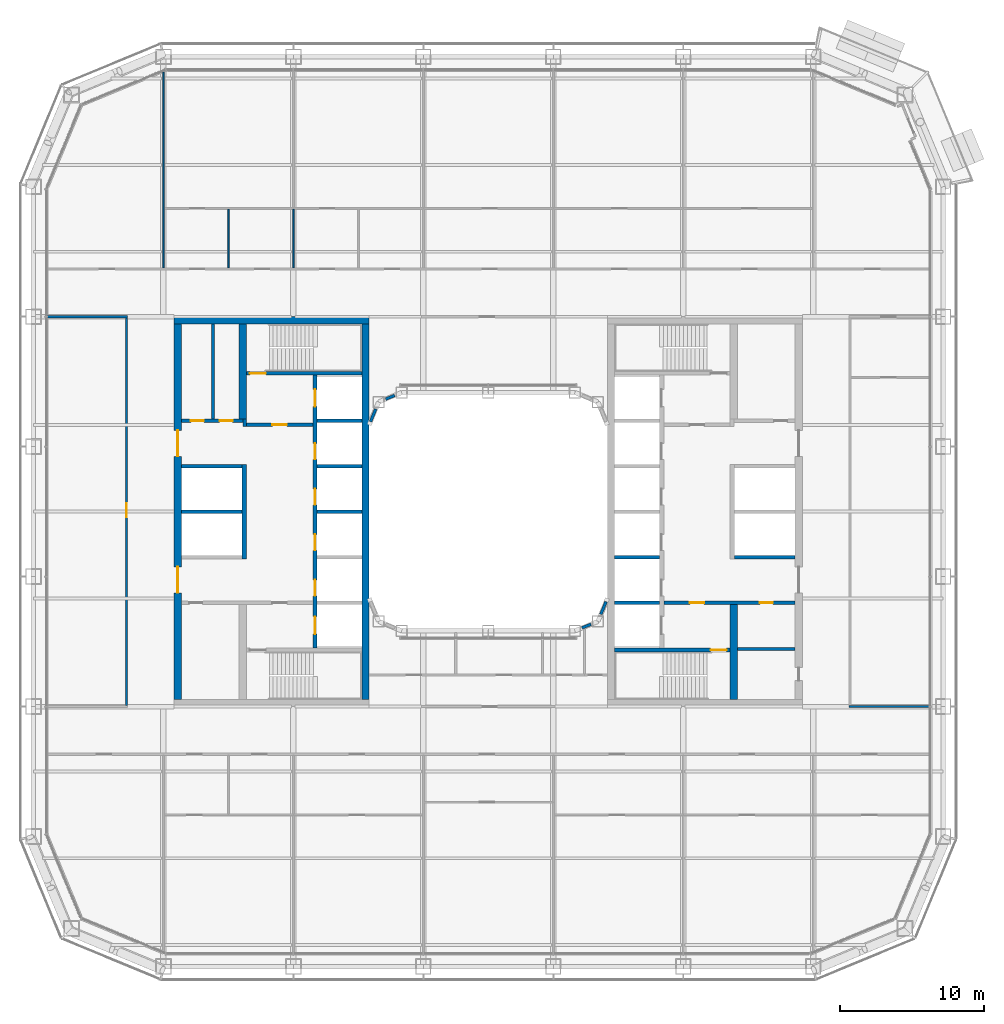
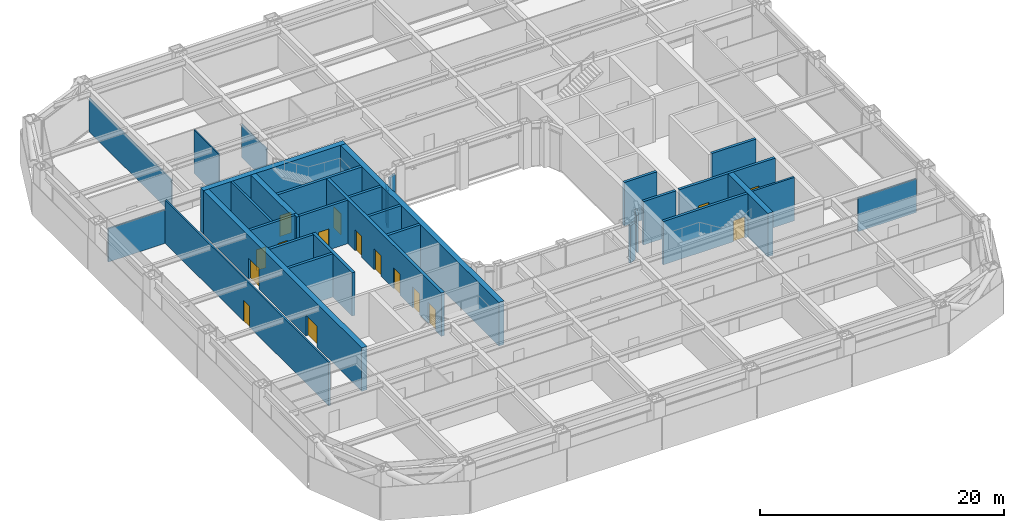
# One storey, part 14 of 30: 33 walls, 16 doors, 16 openings.
"""IFC4 building model written with IfcOpenShell, lengths in metres."""

from ifc_helpers import new_model, si_unit, direction, frame, frame_2d, origin, place, context, subcontext, project, spatial, rectangle, extrude, material, layer, layer_set, type_object, element, fill, save


model = new_model("IFC4")

# Units and contexts
model_context = context("Model", 3, precision=1e-05, world=origin(), true_north=direction((0.0, 1.0)))
body_context = subcontext(model_context, "Body", "Model", "MODEL_VIEW")
ifc_project = project(units=[si_unit("LENGTHUNIT", "METRE"), si_unit("AREAUNIT", "SQUARE_METRE"), si_unit("VOLUMEUNIT", "CUBIC_METRE"), si_unit("PLANEANGLEUNIT", "RADIAN"), si_unit("MASSUNIT", "GRAM", prefix="KILO")], contexts=[model_context])

# Site, building, storey
site_placement = place(None, origin())
site = spatial("IfcSite", under=ifc_project, at=site_placement, CompositionType="ELEMENT")
building_placement = place(site_placement, origin())
building = spatial("IfcBuilding", under=site, at=building_placement, Name="Siwar Civic Tower", CompositionType="ELEMENT")
storey_placement = place(building_placement, frame((0.0, 0.0, 44.699951171875)))
storey = spatial("IfcBuildingStorey", under=building, at=storey_placement, Name="L09", CompositionType="ELEMENT", Elevation=44.699951171875)

# Walls
ifc_material_1 = material(Name="Gypsum board on steel studs", Category="steel")
ifc_layer_1 = layer(ifc_material_1, 0.199951171875)
ifc_layer_set_1 = layer_set([ifc_layer_1], Name="Gypsum board on steel studs")
wall_type_1 = type_object("IfcWallType", Name="CORE-PARTITION-200", PredefinedType="PARTITIONING", material=ifc_layer_set_1)
wall_1_placement = place(storey_placement, frame((-19.050048828125, 6.425048828125, 0.0), z_axis=(0.0, 0.0, 1.0), x_axis=(0.0, 1.0, 0.0)))
element("IfcWall", 1, at=wall_1_placement, inside=storey, type_object=wall_type_1, Name="Core partition W", PredefinedType="PARTITIONING", context=body_context, shape_type="SweptSolid", body=[
    extrude(rectangle(XDim=6.574951171875, YDim=0.199951171875, at=frame_2d((3.28759765625, 0.0))), origin(), (0.0, 0.0, 1.0), 4.35009765625),
])
wall_2_placement = place(storey_placement, frame((17.25, -9.5, 0.0), z_axis=(0.0, 0.0, 1.0), x_axis=(1.0, 0.0, 0.0)))
element("IfcWall", 2, at=wall_2_placement, inside=storey, type_object=wall_type_1, Name="Core partition E", PredefinedType="PARTITIONING", context=body_context, shape_type="SweptSolid", body=[
    extrude(rectangle(XDim=4.0, YDim=0.199951171875, at=frame_2d((2.0, 0.0))), origin(), (0.0, 0.0, 1.0), 4.35009765625),
])

# Wall, opening, door
ifc_material_2 = material(Name="Concrete C60/75", Category="concrete")
ifc_layer_2 = layer(ifc_material_2, 0.25)
ifc_layer_set_2 = layer_set([ifc_layer_2], Name="Concrete C60/75")
wall_type_2 = type_object("IfcWallType", Name="CORE-WALL-RC250", PredefinedType="SHEAR", material=ifc_layer_set_2)
wall_3_placement = place(storey_placement, frame((-12.14990234375, 6.02490234375, 0.0), z_axis=(0.0, 0.0, 1.0), x_axis=(-1.0, 0.0, 0.0)))
wall_3 = element("IfcWall", 3, at=wall_3_placement, inside=storey, type_object=wall_type_2, Name="Core wall W", PredefinedType="SHEAR", context=body_context, shape_type="SweptSolid", body=[
    extrude(rectangle(XDim=4.60009765625, YDim=0.25, at=frame_2d((2.300048828125, 0.0))), origin(), (0.0, 0.0, 1.0), 4.35009765625),
])
opening_1_placement = place(wall_3_placement, frame((1.800048828125, 0.0, 0.0)))
opening_1 = element("IfcOpeningElement", 4, at=opening_1_placement, cuts=wall_3, Name="Opening L09-CW01", PredefinedType="OPENING", context=body_context, shape_type="SweptSolid", body=[
    extrude(rectangle(XDim=1.0, YDim=2.10009765625, at=frame_2d((0.5, 1.050048828125))), frame((0.0, 0.135009765625, 0.0), z_axis=(0.0, -1.0, 0.0), x_axis=(1.0, 0.0, 0.0)), (0.0, 0.0, 1.0), 0.27001953125),
])
ifc_material_3 = material(Name="Steel door leaf", Category="steel")
door_type_1 = type_object("IfcDoorType", Name="CORE-DOOR-FD30S", OperationType="SINGLE_SWING_LEFT", PredefinedType="DOOR", material=ifc_material_3)
door_1_placement = place(opening_1_placement, origin())
door_1 = element("IfcDoor", 5, at=door_1_placement, inside=storey, type_object=door_type_1, Name="Firefighting lobby door L09-CW01", OperationType="SINGLE_SWING_LEFT", OverallHeight=2.10009765625, OverallWidth=1.0, PredefinedType="DOOR", context=body_context, shape_type="SweptSolid", body=[
    extrude(rectangle(XDim=1.0, YDim=2.10009765625, at=frame_2d((0.5, 1.050048828125))), frame((0.0, 0.02490234375, 0.0), z_axis=(0.0, -1.0, 0.0), x_axis=(1.0, 0.0, 0.0)), (0.0, 0.0, 1.0), 0.050048828125),
])
fill(opening_1, door_1)

# Wall
wall_4_placement = place(storey_placement, frame((-16.875, 5.89990234375, 0.0), z_axis=(0.0, 0.0, 1.0), x_axis=(0.0, 1.0, 0.0)))
element("IfcWall", 6, at=wall_4_placement, inside=storey, type_object=wall_type_2, Name="Core wall W", PredefinedType="SHEAR", context=body_context, shape_type="SweptSolid", body=[
    extrude(rectangle(XDim=0.525146484375, YDim=0.25, at=frame_2d((0.2626953125, 0.0))), origin(), (0.0, 0.0, 1.0), 4.35009765625),
])

# Wall, openings, doors
wall_5_placement = place(storey_placement, frame((-17.0, 6.300048828125, 0.0), z_axis=(0.0, 0.0, 1.0), x_axis=(-1.0, 0.0, 0.0)))
wall_5 = element("IfcWall", 7, at=wall_5_placement, inside=storey, type_object=wall_type_2, Name="Core wall W", PredefinedType="SHEAR", context=body_context, shape_type="SweptSolid", body=[
    extrude(rectangle(XDim=4.25, YDim=0.25, at=frame_2d((2.125, 0.0))), origin(), (0.0, 0.0, 1.0), 4.35009765625),
])
opening_2_placement = place(wall_5_placement, frame((0.699951171875, 0.0, 0.0)))
opening_2 = element("IfcOpeningElement", 8, at=opening_2_placement, cuts=wall_5, Name="Opening L09-CW13", PredefinedType="OPENING", context=body_context, shape_type="SweptSolid", body=[
    extrude(rectangle(XDim=0.89990234375, YDim=2.10009765625, at=frame_2d((0.449951171875, 1.050048828125))), frame((0.0, 0.135009765625, 0.0), z_axis=(0.0, -1.0, 0.0), x_axis=(1.0, 0.0, 0.0)), (0.0, 0.0, 1.0), 0.27001953125),
])
opening_3_placement = place(wall_5_placement, frame((2.699951171875, 0.0, 0.0)))
opening_3 = element("IfcOpeningElement", 9, at=opening_3_placement, cuts=wall_5, Name="Opening L09-CW14", PredefinedType="OPENING", context=body_context, shape_type="SweptSolid", body=[
    extrude(rectangle(XDim=0.89990234375, YDim=2.10009765625, at=frame_2d((0.449951171875, 1.050048828125))), frame((0.0, 0.135009765625, 0.0), z_axis=(0.0, -1.0, 0.0), x_axis=(1.0, 0.0, 0.0)), (0.0, 0.0, 1.0), 0.27001953125),
])
ifc_material_4 = material(Name="Steel door leaf", Category="steel")
door_type_2 = type_object("IfcDoorType", Name="CORE-DOOR-ROOM", OperationType="SINGLE_SWING_LEFT", PredefinedType="DOOR", material=ifc_material_4)
door_2_placement = place(opening_2_placement, origin())
door_2 = element("IfcDoor", 10, at=door_2_placement, inside=storey, type_object=door_type_2, Name="Core room door L09-CW13", OperationType="SINGLE_SWING_RIGHT", OverallHeight=2.10009765625, OverallWidth=0.89990234375, PredefinedType="DOOR", context=body_context, shape_type="SweptSolid", body=[
    extrude(rectangle(XDim=0.89990234375, YDim=2.10009765625, at=frame_2d((0.449951171875, 1.050048828125))), frame((0.0, 0.02490234375, 0.0), z_axis=(0.0, -1.0, 0.0), x_axis=(1.0, 0.0, 0.0)), (0.0, 0.0, 1.0), 0.050048828125),
])
fill(opening_2, door_2)
door_3_placement = place(opening_3_placement, origin())
door_3 = element("IfcDoor", 11, at=door_3_placement, inside=storey, type_object=door_type_2, Name="Core room door L09-CW14", OperationType="SINGLE_SWING_LEFT", OverallHeight=2.10009765625, OverallWidth=0.89990234375, PredefinedType="DOOR", context=body_context, shape_type="SweptSolid", body=[
    extrude(rectangle(XDim=0.89990234375, YDim=2.10009765625, at=frame_2d((0.449951171875, 1.050048828125))), frame((0.0, 0.02490234375, 0.0), z_axis=(0.0, -1.0, 0.0), x_axis=(1.0, 0.0, 0.0)), (0.0, 0.0, 1.0), 0.050048828125),
])
fill(opening_3, door_3)

# Walls
for number, where, z_axis, x_axis, name in (
    (12, (-17.050048828125, 0.0, 0.0), (0.0, 0.0, 1.0), (-1.0, 0.0, 0.0), "Core wall W"),
    (13, (-17.050048828125, 3.14990234375, 0.0), (0.0, 0.0, 1.0), (-1.0, 0.0, 0.0), "Core wall W"),
):
    element("IfcWall", number, at=place(storey_placement, frame(where, z_axis=z_axis, x_axis=x_axis)), inside=storey, type_object=wall_type_2, Name=name, PredefinedType="SHEAR", context=body_context, shape_type="SweptSolid", body=[
        extrude(rectangle(XDim=4.199951171875, YDim=0.25, at=frame_2d((2.10009765625, 0.0))), origin(), (0.0, 0.0, 1.0), 4.35009765625),
    ])
for number, where, z_axis, x_axis, name in (
    (14, (-8.75, 0.0, 0.0), (0.0, 0.0, 1.0), (-1.0, 0.0, 0.0), "Core wall W"),
    (15, (-8.75, 3.14990234375, 0.0), (0.0, 0.0, 1.0), (-1.0, 0.0, 0.0), "Core wall W"),
    (16, (-8.75, 6.300048828125, 0.0), (0.0, 0.0, 1.0), (-1.0, 0.0, 0.0), "Core wall W"),
):
    element("IfcWall", number, at=place(storey_placement, frame(where, z_axis=z_axis, x_axis=x_axis)), inside=storey, type_object=wall_type_2, Name=name, PredefinedType="SHEAR", context=body_context, shape_type="SweptSolid", body=[
        extrude(rectangle(XDim=3.10009765625, YDim=0.25, at=frame_2d((1.550048828125, 0.0))), origin(), (0.0, 0.0, 1.0), 4.35009765625),
    ])

# Wall, opening, door
wall_6_placement = place(storey_placement, frame((-8.75, 9.574951171875, 0.0), z_axis=(0.0, 0.0, 1.0), x_axis=(-1.0, 0.0, 0.0)))
wall_6 = element("IfcWall", 17, at=wall_6_placement, inside=storey, type_object=wall_type_2, Name="Core wall W", PredefinedType="SHEAR", context=body_context, shape_type="SweptSolid", body=[
    extrude(rectangle(XDim=8.0, YDim=0.25, at=frame_2d((4.0, 0.0))), origin(), (0.0, 0.0, 1.0), 4.35009765625),
])
opening_4_placement = place(wall_6_placement, frame((6.64990234375, 0.0, 0.0)))
opening_4 = element("IfcOpeningElement", 18, at=opening_4_placement, cuts=wall_6, Name="Opening L09-CW03", PredefinedType="OPENING", context=body_context, shape_type="SweptSolid", body=[
    extrude(rectangle(XDim=1.10009765625, YDim=2.10009765625, at=frame_2d((0.550048828125, 1.050048828125))), frame((0.0, 0.135009765625, 0.0), z_axis=(0.0, -1.0, 0.0), x_axis=(1.0, 0.0, 0.0)), (0.0, 0.0, 1.0), 0.27001953125),
])
ifc_material_5 = material(Name="Steel door leaf", Category="steel")
door_type_3 = type_object("IfcDoorType", Name="CORE-DOOR-FD60S", OperationType="SINGLE_SWING_LEFT", PredefinedType="DOOR", material=ifc_material_5)
door_4_placement = place(opening_4_placement, origin())
door_4 = element("IfcDoor", 19, at=door_4_placement, inside=storey, type_object=door_type_3, Name="Stair door L09-CW03", OperationType="SINGLE_SWING_RIGHT", OverallHeight=2.10009765625, OverallWidth=1.10009765625, PredefinedType="DOOR", context=body_context, shape_type="SweptSolid", body=[
    extrude(rectangle(XDim=1.10009765625, YDim=2.10009765625, at=frame_2d((0.550048828125, 1.050048828125))), frame((0.0, 0.02490234375, 0.0), z_axis=(0.0, -1.0, 0.0), x_axis=(1.0, 0.0, 0.0)), (0.0, 0.0, 1.0), 0.050048828125),
])
fill(opening_4, door_4)

# Wall, openings, doors
wall_7_placement = place(storey_placement, frame((12.14990234375, -6.300048828125, 0.0), z_axis=(0.0, 0.0, 1.0), x_axis=(1.0, 0.0, 0.0)))
wall_7 = element("IfcWall", 20, at=wall_7_placement, inside=storey, type_object=wall_type_2, Name="Core wall E", PredefinedType="SHEAR", context=body_context, shape_type="SweptSolid", body=[
    extrude(rectangle(XDim=9.10009765625, YDim=0.25, at=frame_2d((4.550048828125, 0.0))), origin(), (0.0, 0.0, 1.0), 4.35009765625),
])
opening_5_placement = place(wall_7_placement, frame((1.800048828125, 0.0, 0.0)))
opening_5 = element("IfcOpeningElement", 21, at=opening_5_placement, cuts=wall_7, Name="Opening L09-CE02", PredefinedType="OPENING", context=body_context, shape_type="SweptSolid", body=[
    extrude(rectangle(XDim=1.0, YDim=2.10009765625, at=frame_2d((0.5, 1.050048828125))), frame((0.0, 0.135009765625, 0.0), z_axis=(0.0, -1.0, 0.0), x_axis=(1.0, 0.0, 0.0)), (0.0, 0.0, 1.0), 0.27001953125),
])
opening_6_placement = place(wall_7_placement, frame((6.64990234375, 0.0, 0.0)))
opening_6 = element("IfcOpeningElement", 22, at=opening_6_placement, cuts=wall_7, Name="Opening L09-CE14", PredefinedType="OPENING", context=body_context, shape_type="SweptSolid", body=[
    extrude(rectangle(XDim=0.89990234375, YDim=2.10009765625, at=frame_2d((0.449951171875, 1.050048828125))), frame((0.0, 0.135009765625, 0.0), z_axis=(0.0, -1.0, 0.0), x_axis=(1.0, 0.0, 0.0)), (0.0, 0.0, 1.0), 0.27001953125),
])
door_5_placement = place(opening_5_placement, origin())
door_5 = element("IfcDoor", 23, at=door_5_placement, inside=storey, type_object=door_type_1, Name="Service lobby door L09-CE02", OperationType="SINGLE_SWING_LEFT", OverallHeight=2.10009765625, OverallWidth=1.0, PredefinedType="DOOR", context=body_context, shape_type="SweptSolid", body=[
    extrude(rectangle(XDim=1.0, YDim=2.10009765625, at=frame_2d((0.5, 1.050048828125))), frame((0.0, 0.02490234375, 0.0), z_axis=(0.0, -1.0, 0.0), x_axis=(1.0, 0.0, 0.0)), (0.0, 0.0, 1.0), 0.050048828125),
])
fill(opening_5, door_5)
door_6_placement = place(opening_6_placement, origin())
door_6 = element("IfcDoor", 24, at=door_6_placement, inside=storey, type_object=door_type_2, Name="Core room door L09-CE14", OperationType="SINGLE_SWING_LEFT", OverallHeight=2.10009765625, OverallWidth=0.89990234375, PredefinedType="DOOR", context=body_context, shape_type="SweptSolid", body=[
    extrude(rectangle(XDim=0.89990234375, YDim=2.10009765625, at=frame_2d((0.449951171875, 1.050048828125))), frame((0.0, 0.02490234375, 0.0), z_axis=(0.0, -1.0, 0.0), x_axis=(1.0, 0.0, 0.0)), (0.0, 0.0, 1.0), 0.050048828125),
])
fill(opening_6, door_6)

# Walls
wall_8_placement = place(storey_placement, frame((17.050048828125, -3.14990234375, 0.0), z_axis=(0.0, 0.0, 1.0), x_axis=(1.0, 0.0, 0.0)))
element("IfcWall", 25, at=wall_8_placement, inside=storey, type_object=wall_type_2, Name="Core wall E", PredefinedType="SHEAR", context=body_context, shape_type="SweptSolid", body=[
    extrude(rectangle(XDim=4.199951171875, YDim=0.25, at=frame_2d((2.10009765625, 0.0))), origin(), (0.0, 0.0, 1.0), 4.35009765625),
])
for number, where, z_axis, x_axis, name in (
    (26, (8.75, -3.14990234375, 0.0), (0.0, 0.0, 1.0), (1.0, 0.0, 0.0), "Core wall E"),
    (27, (8.75, -6.300048828125, 0.0), (0.0, 0.0, 1.0), (1.0, 0.0, 0.0), "Core wall E"),
):
    element("IfcWall", number, at=place(storey_placement, frame(where, z_axis=z_axis, x_axis=x_axis)), inside=storey, type_object=wall_type_2, Name=name, PredefinedType="SHEAR", context=body_context, shape_type="SweptSolid", body=[
        extrude(rectangle(XDim=3.10009765625, YDim=0.25, at=frame_2d((1.550048828125, 0.0))), origin(), (0.0, 0.0, 1.0), 4.35009765625),
    ])

# Wall, opening, door
wall_9_placement = place(storey_placement, frame((8.75, -9.574951171875, 0.0), z_axis=(0.0, 0.0, 1.0), x_axis=(1.0, 0.0, 0.0)))
wall_9 = element("IfcWall", 28, at=wall_9_placement, inside=storey, type_object=wall_type_2, Name="Core wall E", PredefinedType="SHEAR", context=body_context, shape_type="SweptSolid", body=[
    extrude(rectangle(XDim=8.0, YDim=0.25, at=frame_2d((4.0, 0.0))), origin(), (0.0, 0.0, 1.0), 4.35009765625),
])
opening_7_placement = place(wall_9_placement, frame((6.64990234375, 0.0, 0.0)))
opening_7 = element("IfcOpeningElement", 29, at=opening_7_placement, cuts=wall_9, Name="Opening L09-CE04", PredefinedType="OPENING", context=body_context, shape_type="SweptSolid", body=[
    extrude(rectangle(XDim=1.10009765625, YDim=2.10009765625, at=frame_2d((0.550048828125, 1.050048828125))), frame((0.0, 0.135009765625, 0.0), z_axis=(0.0, -1.0, 0.0), x_axis=(1.0, 0.0, 0.0)), (0.0, 0.0, 1.0), 0.27001953125),
])
door_7_placement = place(opening_7_placement, origin())
door_7 = element("IfcDoor", 30, at=door_7_placement, inside=storey, type_object=door_type_3, Name="Stair door L09-CE04", OperationType="SINGLE_SWING_RIGHT", OverallHeight=2.10009765625, OverallWidth=1.10009765625, PredefinedType="DOOR", context=body_context, shape_type="SweptSolid", body=[
    extrude(rectangle(XDim=1.10009765625, YDim=2.10009765625, at=frame_2d((0.550048828125, 1.050048828125))), frame((0.0, 0.02490234375, 0.0), z_axis=(0.0, -1.0, 0.0), x_axis=(1.0, 0.0, 0.0)), (0.0, 0.0, 1.0), 0.050048828125),
])
fill(opening_7, door_7)

# Wall, openings, doors
ifc_material_6 = material(Name="Concrete C60/75", Category="concrete")
ifc_layer_3 = layer(ifc_material_6, 0.300048828125)
ifc_layer_set_3 = layer_set([ifc_layer_3], Name="Concrete C60/75")
wall_type_3 = type_object("IfcWallType", Name="CORE-WALL-RC300", PredefinedType="SHEAR", material=ifc_layer_set_3)
wall_10_placement = place(storey_placement, frame((-12.0, -9.449951171875, 0.0), z_axis=(0.0, 0.0, 1.0), x_axis=(0.0, 1.0, 0.0)))
wall_10 = element("IfcWall", 31, at=wall_10_placement, inside=storey, type_object=wall_type_3, Name="Core wall W", PredefinedType="SHEAR", context=body_context, shape_type="SweptSolid", body=[
    extrude(rectangle(XDim=18.89990234375, YDim=0.300048828125, at=frame_2d((9.449951171875, 0.0))), origin(), (0.0, 0.0, 1.0), 4.35009765625),
])
opening_8_placement = place(wall_10_placement, frame((3.625, 0.0, 0.0)))
opening_8 = element("IfcOpeningElement", 32, at=opening_8_placement, cuts=wall_10, Name="Opening L09-CW07", PredefinedType="OPENING", context=body_context, shape_type="SweptSolid", body=[
    extrude(rectangle(XDim=1.10009765625, YDim=2.10009765625, at=frame_2d((0.550048828125, 1.050048828125))), frame((0.0, 0.16015625, 0.0), z_axis=(0.0, -1.0, 0.0), x_axis=(1.0, 0.0, 0.0)), (0.0, 0.0, 1.0), 0.320068359375),
])
opening_9_placement = place(wall_10_placement, frame((6.77490234375, 0.0, 0.0)))
opening_9 = element("IfcOpeningElement", 33, at=opening_9_placement, cuts=wall_10, Name="Opening L09-CW08", PredefinedType="OPENING", context=body_context, shape_type="SweptSolid", body=[
    extrude(rectangle(XDim=1.10009765625, YDim=2.10009765625, at=frame_2d((0.550048828125, 1.050048828125))), frame((0.0, 0.16015625, 0.0), z_axis=(0.0, -1.0, 0.0), x_axis=(1.0, 0.0, 0.0)), (0.0, 0.0, 1.0), 0.320068359375),
])
opening_10_placement = place(wall_10_placement, frame((9.925048828125, 0.0, 0.0)))
opening_10 = element("IfcOpeningElement", 34, at=opening_10_placement, cuts=wall_10, Name="Opening L09-CW09", PredefinedType="OPENING", context=body_context, shape_type="SweptSolid", body=[
    extrude(rectangle(XDim=1.10009765625, YDim=2.10009765625, at=frame_2d((0.550048828125, 1.050048828125))), frame((0.0, 0.16015625, 0.0), z_axis=(0.0, -1.0, 0.0), x_axis=(1.0, 0.0, 0.0)), (0.0, 0.0, 1.0), 0.320068359375),
])
opening_11_placement = place(wall_10_placement, frame((13.074951171875, 0.0, 0.0)))
opening_11 = element("IfcOpeningElement", 35, at=opening_11_placement, cuts=wall_10, Name="Opening L09-CW10", PredefinedType="OPENING", context=body_context, shape_type="SweptSolid", body=[
    extrude(rectangle(XDim=1.10009765625, YDim=2.10009765625, at=frame_2d((0.550048828125, 1.050048828125))), frame((0.0, 0.16015625, 0.0), z_axis=(0.0, -1.0, 0.0), x_axis=(1.0, 0.0, 0.0)), (0.0, 0.0, 1.0), 0.320068359375),
])
opening_12_placement = place(wall_10_placement, frame((16.72509765625, 0.0, 0.0)))
opening_12 = element("IfcOpeningElement", 36, at=opening_12_placement, cuts=wall_10, Name="Opening L09-CW11", PredefinedType="OPENING", context=body_context, shape_type="SweptSolid", body=[
    extrude(rectangle(XDim=1.199951171875, YDim=2.10009765625, at=frame_2d((0.60009765625, 1.050048828125))), frame((0.0, 0.16015625, 0.0), z_axis=(0.0, -1.0, 0.0), x_axis=(1.0, 0.0, 0.0)), (0.0, 0.0, 1.0), 0.320068359375),
])
opening_13_placement = place(wall_10_placement, frame((0.97509765625, 0.0, 0.0)))
opening_13 = element("IfcOpeningElement", 37, at=opening_13_placement, cuts=wall_10, Name="Opening L09-CW12", PredefinedType="OPENING", context=body_context, shape_type="SweptSolid", body=[
    extrude(rectangle(XDim=1.199951171875, YDim=2.10009765625, at=frame_2d((0.60009765625, 1.050048828125))), frame((0.0, 0.16015625, 0.0), z_axis=(0.0, -1.0, 0.0), x_axis=(1.0, 0.0, 0.0)), (0.0, 0.0, 1.0), 0.320068359375),
])
ifc_material_7 = material(Name="Steel door leaf", Category="steel")
door_type_4 = type_object("IfcDoorType", Name="CORE-DOOR-LD", OperationType="DOUBLE_DOOR_SLIDING", PredefinedType="DOOR", material=ifc_material_7)
door_8_placement = place(opening_8_placement, origin())
door_8 = element("IfcDoor", 38, at=door_8_placement, inside=storey, type_object=door_type_4, Name="Landing door LR1 L09-CW07", OperationType="DOUBLE_DOOR_SLIDING", OverallHeight=2.10009765625, OverallWidth=1.10009765625, PredefinedType="DOOR", context=body_context, shape_type="SweptSolid", body=[
    extrude(rectangle(XDim=1.10009765625, YDim=2.10009765625, at=frame_2d((0.550048828125, 1.050048828125))), frame((0.0, 0.02490234375, 0.0), z_axis=(0.0, -1.0, 0.0), x_axis=(1.0, 0.0, 0.0)), (0.0, 0.0, 1.0), 0.050048828125),
])
fill(opening_8, door_8)
door_9_placement = place(opening_9_placement, origin())
door_9 = element("IfcDoor", 39, at=door_9_placement, inside=storey, type_object=door_type_4, Name="Landing door LR2 L09-CW08", OperationType="DOUBLE_DOOR_SLIDING", OverallHeight=2.10009765625, OverallWidth=1.10009765625, PredefinedType="DOOR", context=body_context, shape_type="SweptSolid", body=[
    extrude(rectangle(XDim=1.10009765625, YDim=2.10009765625, at=frame_2d((0.550048828125, 1.050048828125))), frame((0.0, 0.02490234375, 0.0), z_axis=(0.0, -1.0, 0.0), x_axis=(1.0, 0.0, 0.0)), (0.0, 0.0, 1.0), 0.050048828125),
])
fill(opening_9, door_9)
door_10_placement = place(opening_10_placement, origin())
door_10 = element("IfcDoor", 40, at=door_10_placement, inside=storey, type_object=door_type_4, Name="Landing door LR3 L09-CW09", OperationType="DOUBLE_DOOR_SLIDING", OverallHeight=2.10009765625, OverallWidth=1.10009765625, PredefinedType="DOOR", context=body_context, shape_type="SweptSolid", body=[
    extrude(rectangle(XDim=1.10009765625, YDim=2.10009765625, at=frame_2d((0.550048828125, 1.050048828125))), frame((0.0, 0.02490234375, 0.0), z_axis=(0.0, -1.0, 0.0), x_axis=(1.0, 0.0, 0.0)), (0.0, 0.0, 1.0), 0.050048828125),
])
fill(opening_10, door_10)
door_11_placement = place(opening_11_placement, origin())
door_11 = element("IfcDoor", 41, at=door_11_placement, inside=storey, type_object=door_type_4, Name="Landing door LR4 L09-CW10", OperationType="DOUBLE_DOOR_SLIDING", OverallHeight=2.10009765625, OverallWidth=1.10009765625, PredefinedType="DOOR", context=body_context, shape_type="SweptSolid", body=[
    extrude(rectangle(XDim=1.10009765625, YDim=2.10009765625, at=frame_2d((0.550048828125, 1.050048828125))), frame((0.0, 0.02490234375, 0.0), z_axis=(0.0, -1.0, 0.0), x_axis=(1.0, 0.0, 0.0)), (0.0, 0.0, 1.0), 0.050048828125),
])
fill(opening_11, door_11)
ifc_material_8 = material(Name="Steel door leaf", Category="steel")
door_type_5 = type_object("IfcDoorType", Name="CORE-DOOR-LDW", OperationType="DOUBLE_DOOR_SLIDING", PredefinedType="DOOR", material=ifc_material_8)
door_12_placement = place(opening_12_placement, origin())
door_12 = element("IfcDoor", 42, at=door_12_placement, inside=storey, type_object=door_type_5, Name="Landing door FF1 L09-CW11", OperationType="DOUBLE_DOOR_SLIDING", OverallHeight=2.10009765625, OverallWidth=1.199951171875, PredefinedType="DOOR", context=body_context, shape_type="SweptSolid", body=[
    extrude(rectangle(XDim=1.199951171875, YDim=2.10009765625, at=frame_2d((0.60009765625, 1.050048828125))), frame((0.0, 0.02490234375, 0.0), z_axis=(0.0, -1.0, 0.0), x_axis=(1.0, 0.0, 0.0)), (0.0, 0.0, 1.0), 0.050048828125),
])
fill(opening_12, door_12)
door_13_placement = place(opening_13_placement, origin())
door_13 = element("IfcDoor", 43, at=door_13_placement, inside=storey, type_object=door_type_5, Name="Landing door SV1 L09-CW12", OperationType="DOUBLE_DOOR_SLIDING", OverallHeight=2.10009765625, OverallWidth=1.199951171875, PredefinedType="DOOR", context=body_context, shape_type="SweptSolid", body=[
    extrude(rectangle(XDim=1.199951171875, YDim=2.10009765625, at=frame_2d((0.60009765625, 1.050048828125))), frame((0.0, 0.02490234375, 0.0), z_axis=(0.0, -1.0, 0.0), x_axis=(1.0, 0.0, 0.0)), (0.0, 0.0, 1.0), 0.050048828125),
])
fill(opening_13, door_13)

# Wall
wall_11_placement = place(storey_placement, frame((-16.89990234375, -3.27490234375, 0.0), z_axis=(0.0, 0.0, 1.0), x_axis=(0.0, 1.0, 0.0)))
element("IfcWall", 44, at=wall_11_placement, inside=storey, type_object=wall_type_3, Name="Core wall W", PredefinedType="SHEAR", context=body_context, shape_type="SweptSolid", body=[
    extrude(rectangle(XDim=6.5498046875, YDim=0.300048828125, at=frame_2d((3.27490234375, 0.0))), origin(), (0.0, 0.0, 1.0), 4.35009765625),
])

# Wall, openings, doors
ifc_material_9 = material(Name="Concrete C60/75", Category="concrete")
ifc_layer_4 = layer(ifc_material_9, 0.5)
ifc_layer_set_4 = layer_set([ifc_layer_4], Name="Concrete C60/75")
wall_type_4 = type_object("IfcWallType", Name="CORE-WALL-RC500", PredefinedType="SHEAR", material=ifc_layer_set_4)
wall_12_placement = place(storey_placement, frame((-21.5, -13.0, 0.0), z_axis=(0.0, 0.0, 1.0), x_axis=(0.0, 1.0, 0.0)))
wall_12 = element("IfcWall", 45, at=wall_12_placement, inside=storey, type_object=wall_type_4, Name="Core wall W", PredefinedType="SHEAR", context=body_context, shape_type="SweptSolid", body=[
    extrude(rectangle(XDim=26.0, YDim=0.5, at=frame_2d((13.0, 0.0))), origin(), (0.0, 0.0, 1.0), 4.35009765625),
])
opening_14_placement = place(wall_12_placement, frame((16.824951171875, 0.0, 0.0)))
opening_14 = element("IfcOpeningElement", 46, at=opening_14_placement, cuts=wall_12, Name="Opening L09-CW05", PredefinedType="OPENING", context=body_context, shape_type="SweptSolid", body=[
    extrude(rectangle(XDim=1.800048828125, YDim=2.10009765625, at=frame_2d((0.89990234375, 1.050048828125))), frame((0.0, 0.260009765625, 0.0), z_axis=(0.0, -1.0, 0.0), x_axis=(1.0, 0.0, 0.0)), (0.0, 0.0, 1.0), 0.52001953125),
])
opening_15_placement = place(wall_12_placement, frame((7.375, 0.0, 0.0)))
opening_15 = element("IfcOpeningElement", 47, at=opening_15_placement, cuts=wall_12, Name="Opening L09-CW06", PredefinedType="OPENING", context=body_context, shape_type="SweptSolid", body=[
    extrude(rectangle(XDim=1.800048828125, YDim=2.10009765625, at=frame_2d((0.89990234375, 1.050048828125))), frame((0.0, 0.260009765625, 0.0), z_axis=(0.0, -1.0, 0.0), x_axis=(1.0, 0.0, 0.0)), (0.0, 0.0, 1.0), 0.52001953125),
])
ifc_material_10 = material(Name="Steel door leaf", Category="steel")
door_type_6 = type_object("IfcDoorType", Name="CORE-DOOR-PORT", OperationType="DOUBLE_DOOR_DOUBLE_SWING", PredefinedType="DOOR", material=ifc_material_10)
door_14_placement = place(opening_14_placement, origin())
door_14 = element("IfcDoor", 48, at=door_14_placement, inside=storey, type_object=door_type_6, Name="Core entrance door L09-CW05", OperationType="DOUBLE_DOOR_DOUBLE_SWING", OverallHeight=2.10009765625, OverallWidth=1.800048828125, PredefinedType="DOOR", context=body_context, shape_type="SweptSolid", body=[
    extrude(rectangle(XDim=1.800048828125, YDim=2.10009765625, at=frame_2d((0.89990234375, 1.050048828125))), frame((0.0, 0.02490234375, 0.0), z_axis=(0.0, -1.0, 0.0), x_axis=(1.0, 0.0, 0.0)), (0.0, 0.0, 1.0), 0.050048828125),
])
fill(opening_14, door_14)
door_15_placement = place(opening_15_placement, origin())
door_15 = element("IfcDoor", 49, at=door_15_placement, inside=storey, type_object=door_type_6, Name="Core entrance door L09-CW06", OperationType="DOUBLE_DOOR_DOUBLE_SWING", OverallHeight=2.10009765625, OverallWidth=1.800048828125, PredefinedType="DOOR", context=body_context, shape_type="SweptSolid", body=[
    extrude(rectangle(XDim=1.800048828125, YDim=2.10009765625, at=frame_2d((0.89990234375, 1.050048828125))), frame((0.0, 0.02490234375, 0.0), z_axis=(0.0, -1.0, 0.0), x_axis=(1.0, 0.0, 0.0)), (0.0, 0.0, 1.0), 0.050048828125),
])
fill(opening_15, door_15)

# Walls
wall_13_placement = place(storey_placement, frame((-17.0, 6.425048828125, 0.0), z_axis=(0.0, 0.0, 1.0), x_axis=(0.0, 1.0, 0.0)))
element("IfcWall", 50, at=wall_13_placement, inside=storey, type_object=wall_type_4, Name="Core wall W", PredefinedType="SHEAR", context=body_context, shape_type="SweptSolid", body=[
    extrude(rectangle(XDim=6.574951171875, YDim=0.5, at=frame_2d((3.28759765625, 0.0))), origin(), (0.0, 0.0, 1.0), 4.35009765625),
])
wall_14_placement = place(storey_placement, frame((-8.25, 13.25, 0.0), z_axis=(0.0, 0.0, 1.0), x_axis=(-1.0, 0.0, 0.0)))
element("IfcWall", 51, at=wall_14_placement, inside=storey, type_object=wall_type_4, Name="Core wall W", PredefinedType="SHEAR", context=body_context, shape_type="SweptSolid", body=[
    extrude(rectangle(XDim=13.5, YDim=0.5, at=frame_2d((6.75, 0.0))), origin(), (0.0, 0.0, 1.0), 4.35009765625),
])
wall_15_placement = place(storey_placement, frame((17.0, -13.0, 0.0), z_axis=(0.0, 0.0, 1.0), x_axis=(0.0, 1.0, 0.0)))
element("IfcWall", 52, at=wall_15_placement, inside=storey, type_object=wall_type_4, Name="Core wall E", PredefinedType="SHEAR", context=body_context, shape_type="SweptSolid", body=[
    extrude(rectangle(XDim=6.574951171875, YDim=0.5, at=frame_2d((3.28759765625, 0.0))), origin(), (0.0, 0.0, 1.0), 4.35009765625),
])
ifc_material_11 = material(Name="Concrete C60/75", Category="concrete")
ifc_layer_5 = layer(ifc_material_11, 0.5)
ifc_layer_set_5 = layer_set([ifc_layer_5], Name="Concrete C60/75")
wall_type_5 = type_object("IfcWallType", Name="CORE-WALL-RC500-EXT", PredefinedType="SHEAR", material=ifc_layer_set_5)
wall_16_placement = place(storey_placement, frame((-8.5, -13.0, 0.0), z_axis=(0.0, 0.0, 1.0), x_axis=(0.0, 1.0, 0.0)))
element("IfcWall", 53, at=wall_16_placement, inside=storey, type_object=wall_type_5, Name="Core wall W", PredefinedType="SHEAR", context=body_context, shape_type="SweptSolid", body=[
    extrude(rectangle(XDim=26.0, YDim=0.5, at=frame_2d((13.0, 0.0))), origin(), (0.0, 0.0, 1.0), 4.35009765625),
])
ifc_material_12 = material(Name="Gypsum board on steel studs", Category="steel")
ifc_layer_6 = layer(ifc_material_12, 0.14990234375)
ifc_layer_set_6 = layer_set([ifc_layer_6], Name="Gypsum board on steel studs")
wall_type_6 = type_object("IfcWallType", Name="CORRIDOR PARTITION 150 EI 30", PredefinedType="PARTITIONING", material=ifc_layer_set_6)
for number, where, z_axis, x_axis, name in (
    (54, (24.97509765625, -13.5, 0.0), (0.0, 0.0, 1.0), (1.0, 0.0, 0.0), "L09/wall/P07"),
    (55, (-30.510009765625, 13.5, 0.0), (0.0, 0.0, 1.0), (1.0, 0.0, 0.0), "L09/wall/P11"),
):
    element("IfcWall", number, at=place(storey_placement, frame(where, z_axis=z_axis, x_axis=x_axis)), inside=storey, type_object=wall_type_6, Name=name, PredefinedType="PARTITIONING", context=body_context, shape_type="SweptSolid", body=[
        extrude(rectangle(XDim=5.534912109375, YDim=0.14990234375, at=frame_2d((2.767578125, 0.0))), origin(), (0.0, 0.0, 1.0), 3.35009765625),
    ])

# Wall, opening, door
wall_17_placement = place(storey_placement, frame((-25.050048828125, -13.425048828125, 0.0), z_axis=(0.0, 0.0, 1.0), x_axis=(0.0, 1.0, 0.0)))
wall_17 = element("IfcWall", 56, at=wall_17_placement, inside=storey, type_object=wall_type_6, Name="L09/wall/P16", PredefinedType="PARTITIONING", context=body_context, shape_type="SweptSolid", body=[
    extrude(rectangle(XDim=26.85009765625, YDim=0.14990234375, at=frame_2d((13.425048828125, 0.0))), origin(), (0.0, 0.0, 1.0), 4.35009765625),
])
opening_16_placement = place(wall_17_placement, frame((13.02490234375, 0.0, 0.0)))
opening_16 = element("IfcOpeningElement", 57, at=opening_16_placement, cuts=wall_17, Name="Opening D1", PredefinedType="OPENING", context=body_context, shape_type="SweptSolid", body=[
    extrude(rectangle(XDim=1.0, YDim=2.10009765625, at=frame_2d((0.5, 1.050048828125))), frame((0.0, 0.0849609375, 0.0), z_axis=(0.0, -1.0, 0.0), x_axis=(1.0, 0.0, 0.0)), (0.0, 0.0, 1.0), 0.169921875),
])
ifc_material_13 = material(Name="Timber, painted", Category="wood")
door_type_7 = type_object("IfcDoorType", Name="DOOR 1000 X 2100 FD30", OperationType="SINGLE_SWING_LEFT", PredefinedType="DOOR", material=ifc_material_13)
door_16_placement = place(opening_16_placement, origin())
door_16 = element("IfcDoor", 58, at=door_16_placement, inside=storey, type_object=door_type_7, Name="L09-D29", OperationType="SINGLE_SWING_LEFT", OverallHeight=2.10009765625, OverallWidth=1.0, PredefinedType="DOOR", context=body_context, shape_type="SweptSolid", body=[
    extrude(rectangle(XDim=1.0, YDim=2.10009765625, at=frame_2d((0.5, 1.050048828125))), frame((0.0, 0.02490234375, 0.0), z_axis=(0.0, -1.0, 0.0), x_axis=(1.0, 0.0, 0.0)), (0.0, 0.0, 1.0), 0.050048828125),
])
fill(opening_16, door_16)

# Walls
ifc_material_14 = material(Name="Aluminium clad insulated panel", Category="aluminium")
ifc_layer_7 = layer(ifc_material_14, 0.199951171875)
ifc_layer_set_7 = layer_set([ifc_layer_7], Name="Aluminium clad insulated panel")
wall_type_7 = type_object("IfcWallType", Name="ENV-WALL-WELL", PredefinedType="STANDARD", material=ifc_layer_set_7)
wall_18_placement = place(storey_placement, frame((6.48291015625, -8.050048828125, 0.0), z_axis=(0.0, 0.0, 1.0), x_axis=(0.923854141361, 0.382744726273, 0.0)))
element("IfcWall", 59, at=wall_18_placement, inside=storey, type_object=wall_type_7, Name="Light well corner wall SE1", PredefinedType="STANDARD", context=body_context, shape_type="SweptSolid", body=[
    extrude(rectangle(XDim=0.6767578125, YDim=0.199951171875, at=frame_2d((0.33837890625, 0.0))), origin(), (0.0, 0.0, 1.0), 3.72998046875),
])
wall_19_placement = place(storey_placement, frame((7.791015625, -7.108154296875, 0.0), z_axis=(0.0, 0.0, 1.0), x_axis=(0.382624318388, 0.923904016107, 0.0)))
element("IfcWall", 60, at=wall_19_placement, inside=storey, type_object=wall_type_7, Name="Light well corner wall SE2", PredefinedType="STANDARD", context=body_context, shape_type="SweptSolid", body=[
    extrude(rectangle(XDim=0.949462890625, YDim=0.199951171875, at=frame_2d((0.474609375, 0.0))), origin(), (0.0, 0.0, 1.0), 3.72998046875),
])
wall_20_placement = place(storey_placement, frame((-6.48291015625, 8.050048828125, 0.0), z_axis=(0.0, 0.0, 1.0), x_axis=(-0.923854141361, -0.382744726273, 0.0)))
element("IfcWall", 61, at=wall_20_placement, inside=storey, type_object=wall_type_7, Name="Light well corner wall NW1", PredefinedType="STANDARD", context=body_context, shape_type="SweptSolid", body=[
    extrude(rectangle(XDim=0.6767578125, YDim=0.199951171875, at=frame_2d((0.33837890625, 0.0))), origin(), (0.0, 0.0, 1.0), 3.72998046875),
])
wall_21_placement = place(storey_placement, frame((-7.791015625, 7.108154296875, 0.0), z_axis=(0.0, 0.0, 1.0), x_axis=(-0.382624318388, -0.923904016107, 0.0)))
element("IfcWall", 62, at=wall_21_placement, inside=storey, type_object=wall_type_7, Name="Light well corner wall NW2", PredefinedType="STANDARD", context=body_context, shape_type="SweptSolid", body=[
    extrude(rectangle(XDim=0.949462890625, YDim=0.199951171875, at=frame_2d((0.474609375, 0.0))), origin(), (0.0, 0.0, 1.0), 3.72998046875),
])
ifc_material_15 = material(Name="Gypsum board on steel studs", Category="steel")
ifc_layer_8 = layer(ifc_material_15, 0.10009765625)
ifc_layer_set_8 = layer_set([ifc_layer_8], Name="Gypsum board on steel studs")
wall_type_8 = type_object("IfcWallType", Name="PARTITION 100 GYPSUM", PredefinedType="PARTITIONING", material=ifc_layer_set_8)
wall_22_placement = place(storey_placement, frame((-22.5, 16.875, 0.0), z_axis=(0.0, 0.0, 1.0), x_axis=(0.0, 1.0, 0.0)))
element("IfcWall", 63, at=wall_22_placement, inside=storey, type_object=wall_type_8, Name="L09/wall/P18", PredefinedType="PARTITIONING", context=body_context, shape_type="SweptSolid", body=[
    extrude(rectangle(XDim=13.552978515625, YDim=0.10009765625, at=frame_2d((6.7763671875, 0.0))), origin(), (0.0, 0.0, 1.0), 3.35009765625),
])
wall_23_placement = place(storey_placement, frame((-18.0, 16.875, 0.0), z_axis=(0.0, 0.0, 1.0), x_axis=(0.0, 1.0, 0.0)))
element("IfcWall", 64, at=wall_23_placement, inside=storey, type_object=wall_type_8, Name="L09/wall/P20", PredefinedType="PARTITIONING", context=body_context, shape_type="SweptSolid", body=[
    extrude(rectangle(XDim=4.074951171875, YDim=0.10009765625, at=frame_2d((2.03759765625, 0.0))), origin(), (0.0, 0.0, 1.0), 4.35009765625),
])
wall_24_placement = place(storey_placement, frame((-13.5, 16.875, 0.0), z_axis=(0.0, 0.0, 1.0), x_axis=(0.0, 1.0, 0.0)))
element("IfcWall", 65, at=wall_24_placement, inside=storey, type_object=wall_type_8, Name="L09/wall/P23", PredefinedType="PARTITIONING", context=body_context, shape_type="SweptSolid", body=[
    extrude(rectangle(XDim=4.074951171875, YDim=0.10009765625, at=frame_2d((2.03759765625, 0.0))), origin(), (0.0, 0.0, 1.0), 3.35009765625),
])

save(model, "model.ifc")
